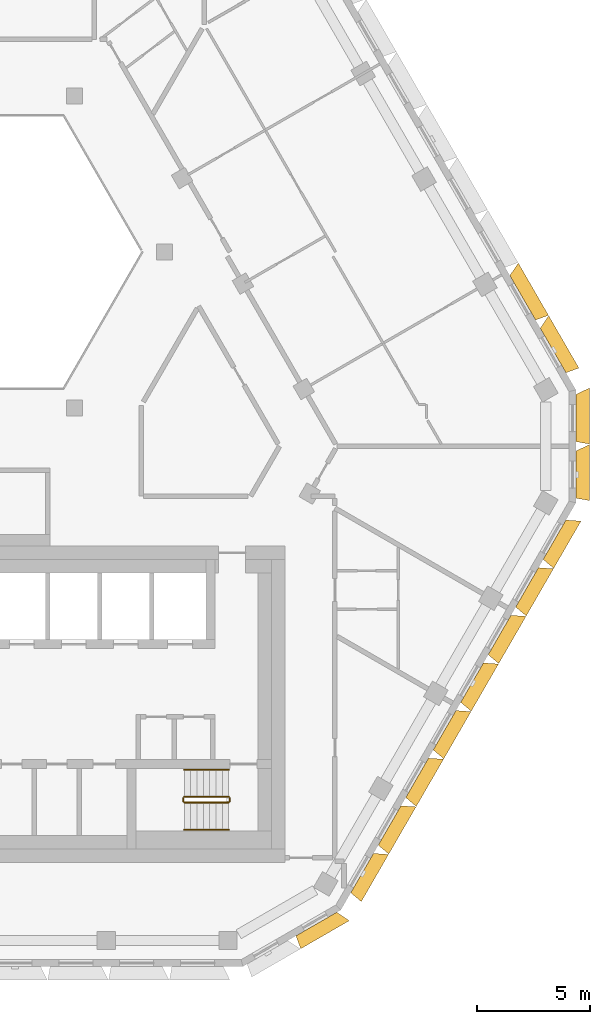
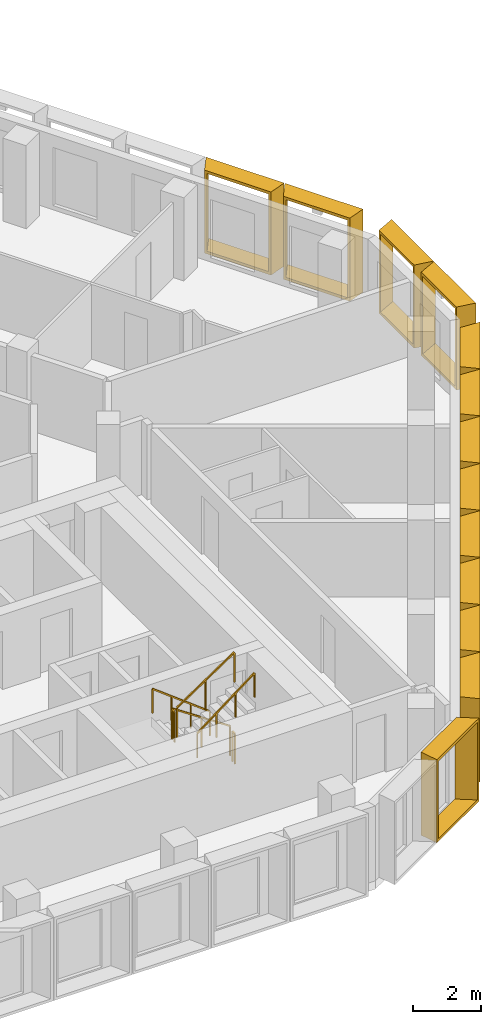
# One storey, part 16 of 17: 13 shading devices, 6 railings.
"""IFC4 building model written with IfcOpenShell, lengths in metres."""

from ifc_helpers import new_model, entity, si_unit, direction, frame, origin, origin_2d, place, context, subcontext, project, spatial, rectangle, extrude, source, transform, mapped, material, type_object, type_shapes, element, save


model = new_model("IFC4")

# Units and contexts
model_context = context("Model", 3, precision=1e-05, world=origin(), true_north=direction((0.0, 1.0)))
body_context = subcontext(model_context, "Body", "Model", "MODEL_VIEW")
ifc_project = project(units=[si_unit("LENGTHUNIT", "METRE"), si_unit("AREAUNIT", "SQUARE_METRE"), si_unit("VOLUMEUNIT", "CUBIC_METRE"), si_unit("PLANEANGLEUNIT", "RADIAN"), si_unit("MASSUNIT", "GRAM", prefix="KILO")], contexts=[model_context])

# Site, building, storey
site_placement = place(None, origin())
site = spatial("IfcSite", under=ifc_project, at=site_placement, CompositionType="ELEMENT")
building_placement = place(site_placement, origin())
building = spatial("IfcBuilding", under=site, at=building_placement, Name="Beryl Residences", CompositionType="ELEMENT")
storey_placement = place(building_placement, frame((0.0, 0.0, 172.199951171875)))
storey = spatial("IfcBuildingStorey", under=building, at=storey_placement, Name="L52", CompositionType="ELEMENT", Elevation=172.199951171875)

# Shading devices
ifc_material_1 = material(Name="Aluminium pale anodised", Category="aluminium")
shading_device_type_1 = type_object("IfcShadingDeviceType", Name="FR243-60C OUTER SKIN frame 600 mm deep, splay 10/26 deg, 2430 x 3000 mm cell", PredefinedType="USERDEFINED", material=ifc_material_1)
cartesian_point_1 = entity("IfcCartesianPoint", [-1.005615234375, 0.0])
cartesian_point_2 = entity("IfcCartesianPoint", [-0.92431640625, 0.10009765625])
cartesian_point_3 = entity("IfcCartesianPoint", [-1.111328125, 0.0])
cartesian_point_4 = entity("IfcCartesianPoint", [-1.030029296875, 0.10009765625])
shared_shape_1 = source(origin(), body_context, "Body", "SweptSolid", [
    entity("IfcExtrudedAreaSolidTapered", entity("IfcArbitraryProfileDefWithVoids", "AREA", None, entity("IfcPolyline", [cartesian_point_1, entity("IfcCartesianPoint", [1.005615234375, 0.0]), entity("IfcCartesianPoint", [1.005615234375, 3.0]), entity("IfcCartesianPoint", [-1.005615234375, 3.0]), cartesian_point_1]), [entity("IfcPolyline", [cartesian_point_2, entity("IfcCartesianPoint", [0.91650390625, 0.10009765625]), entity("IfcCartesianPoint", [0.91650390625, 2.89990234375]), entity("IfcCartesianPoint", [-0.92431640625, 2.89990234375]), cartesian_point_2])]), entity("IfcAxis2Placement3D", entity("IfcCartesianPoint", [0.0, 0.0, 0.0]), entity("IfcDirection", [0.0, 1.0, 0.0]), entity("IfcDirection", [-1.0, 0.0, 0.0])), entity("IfcDirection", [0.0, 0.0, 1.0]), 0.60009765625, entity("IfcArbitraryProfileDefWithVoids", "AREA", None, entity("IfcPolyline", [cartesian_point_3, entity("IfcCartesianPoint", [1.298095703125, 0.0]), entity("IfcCartesianPoint", [1.298095703125, 3.0]), entity("IfcCartesianPoint", [-1.111328125, 3.0]), cartesian_point_3]), [entity("IfcPolyline", [cartesian_point_4, entity("IfcCartesianPoint", [1.209228515625, 0.10009765625]), entity("IfcCartesianPoint", [1.209228515625, 2.89990234375]), entity("IfcCartesianPoint", [-1.030029296875, 2.89990234375]), cartesian_point_4])])),
])
type_shapes(shading_device_type_1, [shared_shape_1])
for number, where, z_axis, x_axis, name in (
    (1, (16.700927734375, -19.471923828125, 0.0), (0.0, 0.0, 1.0), (-0.5, -0.866025403784, 0.0), "FR243-60C frame L52 SE 1"),
    (2, (17.9169921875, -17.365966796875, 0.0), (0.0, 0.0, 1.0), (-0.5, -0.866025403784, 0.0), "FR243-60C frame L52 SE 2"),
    (3, (19.133056640625, -15.260009765625, 0.0), (0.0, 0.0, 1.0), (-0.5, -0.866025403784, 0.0), "FR243-60C frame L52 SE 3"),
    (4, (20.34912109375, -13.154052734375, 0.0), (0.0, 0.0, 1.0), (-0.5, -0.866025403784, 0.0), "FR243-60C frame L52 SE 4"),
    (5, (21.56396484375, -11.048095703125, 0.0), (0.0, 0.0, 1.0), (-0.5, -0.866025403784, 0.0), "FR243-60C frame L52 SE 5"),
    (6, (22.780029296875, -8.94189453125, 0.0), (0.0, 0.0, 1.0), (-0.5, -0.866025403784, 0.0), "FR243-60C frame L52 SE 6"),
    (7, (23.99609375, -6.8349609375, 0.0), (0.0, 0.0, 1.0), (-0.5, -0.866025403784, 0.0), "FR243-60C frame L52 SE 7"),
    (8, (25.2119140625, -4.72900390625, 0.0), (0.0, 0.0, 1.0), (-0.5, -0.866025403784, 0.0), "FR243-60C frame L52 SE 8"),
):
    element("IfcShadingDevice", number, at=place(storey_placement, frame(where, z_axis=z_axis, x_axis=x_axis)), inside=storey, type_object=shading_device_type_1, Name=name, ObjectType="OUTER SKIN", PredefinedType="USERDEFINED", context=body_context, shape_type="MappedRepresentation", body=[
        mapped(shared_shape_1, transform((0.0, 0.0, 0.0))),
    ])
ifc_material_2 = material(Name="Aluminium pale anodised", Category="aluminium")
shading_device_type_2 = type_object("IfcShadingDeviceType", Name="FR250-60C OUTER SKIN frame 600 mm deep, splay 10/26 deg, 2500 x 3000 mm cell", PredefinedType="USERDEFINED", material=ifc_material_2)
cartesian_point_5 = entity("IfcCartesianPoint", [-1.04052734375, 0.0])
cartesian_point_6 = entity("IfcCartesianPoint", [-0.959228515625, 0.10009765625])
cartesian_point_7 = entity("IfcCartesianPoint", [-1.146240234375, 0.0])
cartesian_point_8 = entity("IfcCartesianPoint", [-1.06494140625, 0.10009765625])
shared_shape_2 = source(origin(), body_context, "Body", "SweptSolid", [
    entity("IfcExtrudedAreaSolidTapered", entity("IfcArbitraryProfileDefWithVoids", "AREA", None, entity("IfcPolyline", [cartesian_point_5, entity("IfcCartesianPoint", [1.04052734375, 0.0]), entity("IfcCartesianPoint", [1.04052734375, 3.0]), entity("IfcCartesianPoint", [-1.04052734375, 3.0]), cartesian_point_5]), [entity("IfcPolyline", [cartesian_point_6, entity("IfcCartesianPoint", [0.951416015625, 0.10009765625]), entity("IfcCartesianPoint", [0.951416015625, 2.89990234375]), entity("IfcCartesianPoint", [-0.959228515625, 2.89990234375]), cartesian_point_6])]), entity("IfcAxis2Placement3D", entity("IfcCartesianPoint", [0.0, 0.0, 0.0]), entity("IfcDirection", [0.0, 1.0, 0.0]), entity("IfcDirection", [-1.0, 0.0, 0.0])), entity("IfcDirection", [0.0, 0.0, 1.0]), 0.60009765625, entity("IfcArbitraryProfileDefWithVoids", "AREA", None, entity("IfcPolyline", [cartesian_point_7, entity("IfcCartesianPoint", [1.333251953125, 0.0]), entity("IfcCartesianPoint", [1.333251953125, 3.0]), entity("IfcCartesianPoint", [-1.146240234375, 3.0]), cartesian_point_7]), [entity("IfcPolyline", [cartesian_point_8, entity("IfcCartesianPoint", [1.244140625, 0.10009765625]), entity("IfcCartesianPoint", [1.244140625, 2.89990234375]), entity("IfcCartesianPoint", [-1.06494140625, 2.89990234375]), cartesian_point_8])])),
])
type_shapes(shading_device_type_2, [shared_shape_2])
for number, where, z_axis, x_axis, name in (
    (9, (14.677978515625, -21.72509765625, 0.0), (0.0, 0.0, 1.0), (-0.866025403784, -0.5, 0.0), "FR250-60C frame L52 S-SE 2"),
    (10, (26.154052734375, -1.85009765625, 0.0), (0.0, 0.0, 1.0), (0.0, -1.0, 0.0), "FR250-60C frame L52 SE-NE 1"),
    (11, (26.154052734375, 0.64990234375, 0.0), (0.0, 0.0, 1.0), (0.0, -1.0, 0.0), "FR250-60C frame L52 SE-NE 2"),
):
    element("IfcShadingDevice", number, at=place(storey_placement, frame(where, z_axis=z_axis, x_axis=x_axis)), inside=storey, type_object=shading_device_type_2, Name=name, ObjectType="OUTER SKIN", PredefinedType="USERDEFINED", context=body_context, shape_type="MappedRepresentation", body=[
        mapped(shared_shape_2, transform((0.0, 0.0, 0.0))),
    ])
ifc_material_3 = material(Name="Aluminium pale anodised", Category="aluminium")
shading_device_type_3 = type_object("IfcShadingDeviceType", Name="FR269-60C OUTER SKIN frame 600 mm deep, splay 10/26 deg, 2690 x 3000 mm cell", PredefinedType="USERDEFINED", material=ifc_material_3)
cartesian_point_9 = entity("IfcCartesianPoint", [-1.135498046875, 0.0])
cartesian_point_10 = entity("IfcCartesianPoint", [-1.05419921875, 0.10009765625])
cartesian_point_11 = entity("IfcCartesianPoint", [-1.2412109375, 0.0])
cartesian_point_12 = entity("IfcCartesianPoint", [-1.16015625, 0.10009765625])
shared_shape_3 = source(origin(), body_context, "Body", "SweptSolid", [
    entity("IfcExtrudedAreaSolidTapered", entity("IfcArbitraryProfileDefWithVoids", "AREA", None, entity("IfcPolyline", [cartesian_point_9, entity("IfcCartesianPoint", [1.135498046875, 0.0]), entity("IfcCartesianPoint", [1.135498046875, 3.0]), entity("IfcCartesianPoint", [-1.135498046875, 3.0]), cartesian_point_9]), [entity("IfcPolyline", [cartesian_point_10, entity("IfcCartesianPoint", [1.04638671875, 0.10009765625]), entity("IfcCartesianPoint", [1.04638671875, 2.89990234375]), entity("IfcCartesianPoint", [-1.05419921875, 2.89990234375]), cartesian_point_10])]), entity("IfcAxis2Placement3D", entity("IfcCartesianPoint", [0.0, 0.0, 0.0]), entity("IfcDirection", [0.0, 1.0, 0.0]), entity("IfcDirection", [-1.0, 0.0, 0.0])), entity("IfcDirection", [0.0, 0.0, 1.0]), 0.60009765625, entity("IfcArbitraryProfileDefWithVoids", "AREA", None, entity("IfcPolyline", [cartesian_point_11, entity("IfcCartesianPoint", [1.42822265625, 0.0]), entity("IfcCartesianPoint", [1.42822265625, 3.0]), entity("IfcCartesianPoint", [-1.2412109375, 3.0]), cartesian_point_11]), [entity("IfcPolyline", [cartesian_point_12, entity("IfcCartesianPoint", [1.339111328125, 0.10009765625]), entity("IfcCartesianPoint", [1.339111328125, 2.89990234375]), entity("IfcCartesianPoint", [-1.16015625, 2.89990234375]), cartesian_point_12])])),
])
type_shapes(shading_device_type_3, [shared_shape_3])
for number, where, z_axis, x_axis, name in (
    (12, (25.14892578125, 3.639892578125, 0.0), (0.0, 0.0, 1.0), (0.5, -0.866025403784, 0.0), "FR269-60C frame L52 NE 1"),
    (13, (23.802978515625, 5.971923828125, 0.0), (0.0, 0.0, 1.0), (0.5, -0.866025403784, 0.0), "FR269-60C frame L52 NE 2"),
):
    element("IfcShadingDevice", number, at=place(storey_placement, frame(where, z_axis=z_axis, x_axis=x_axis)), inside=storey, type_object=shading_device_type_3, Name=name, ObjectType="OUTER SKIN", PredefinedType="USERDEFINED", context=body_context, shape_type="MappedRepresentation", body=[
        mapped(shared_shape_3, transform((0.0, 0.0, 0.0))),
    ])

# Railings
ifc_material_4 = material(Name="Stainless steel balustrade with glass infill", Category="steel")
railing_type_1 = type_object("IfcRailingType", Name="SG1 stair guard 1100 mm", PredefinedType="GUARDRAIL", material=ifc_material_4)
railing_1_placement = place(storey_placement, frame((10.800048828125, -16.10009765625, 0.1875)))
element("IfcRailing", 14, at=railing_1_placement, inside=storey, type_object=railing_type_1, Name="L52 ST-3 stair guard 1", PredefinedType="GUARDRAIL", context=body_context, shape_type="SweptSolid", body=[
    extrude(rectangle(XDim=0.048095703125, YDim=0.048095703125, at=origin_2d()), frame((0.0, 0.0, 1.076171875), z_axis=(-0.830902050051, 0.0, 0.556418712142), x_axis=(0.0, -1.0, 0.0)), (0.0, 0.0, 1.0), 2.35888671875),
    extrude(rectangle(XDim=0.0419921875, YDim=0.0419921875, at=origin_2d()), origin(), (0.0, 0.0, 1.0), 1.052001953125),
    extrude(rectangle(XDim=0.0419921875, YDim=0.0419921875, at=origin_2d()), frame((-0.97998046875, 0.0, 0.65625)), (0.0, 0.0, 1.0), 1.052001953125),
    extrude(rectangle(XDim=0.0419921875, YDim=0.0419921875, at=origin_2d()), frame((-1.9599609375, 0.0, 1.3125)), (0.0, 0.0, 1.0), 1.052001953125),
])
railing_2_placement = place(storey_placement, frame((8.7900390625, -16.14990234375, 1.5)))
element("IfcRailing", 15, at=railing_2_placement, inside=storey, type_object=railing_type_1, Name="L52 ST-3 stair guard 2", PredefinedType="GUARDRAIL", context=body_context, shape_type="SweptSolid", body=[
    extrude(rectangle(XDim=0.048095703125, YDim=0.048095703125, at=origin_2d()), frame((0.0, 0.0, 1.076171875), z_axis=(0.0, -1.0, 0.0), x_axis=(1.0, 0.0, 0.0)), (0.0, 0.0, 1.0), 0.150146484375),
    extrude(rectangle(XDim=0.0419921875, YDim=0.0419921875, at=origin_2d()), origin(), (0.0, 0.0, 1.0), 1.052001953125),
    extrude(rectangle(XDim=0.0419921875, YDim=0.0419921875, at=origin_2d()), frame((0.0, -0.150146484375, 0.0)), (0.0, 0.0, 1.0), 1.052001953125),
])
railing_3_placement = place(storey_placement, frame((8.840087890625, -16.35009765625, 1.6875)))
element("IfcRailing", 16, at=railing_3_placement, inside=storey, type_object=railing_type_1, Name="L52 ST-3 stair guard 3", PredefinedType="GUARDRAIL", context=body_context, shape_type="SweptSolid", body=[
    extrude(rectangle(XDim=0.048095703125, YDim=0.048095703125, at=origin_2d()), frame((0.0, 0.0, 1.076171875), z_axis=(0.830902050051, 0.0, 0.556418712142), x_axis=(0.0, 1.0, 0.0)), (0.0, 0.0, 1.0), 2.35888671875),
    extrude(rectangle(XDim=0.0419921875, YDim=0.0419921875, at=origin_2d()), origin(), (0.0, 0.0, 1.0), 1.052001953125),
    extrude(rectangle(XDim=0.0419921875, YDim=0.0419921875, at=origin_2d()), frame((0.97998046875, 0.0, 0.65625)), (0.0, 0.0, 1.0), 1.052001953125),
    extrude(rectangle(XDim=0.0419921875, YDim=0.0419921875, at=origin_2d()), frame((1.9599609375, 0.0, 1.3125)), (0.0, 0.0, 1.0), 1.052001953125),
])
railing_4_placement = place(storey_placement, frame((10.85009765625, -16.14990234375, 0.0)))
element("IfcRailing", 17, at=railing_4_placement, inside=storey, type_object=railing_type_1, Name="L52 ST-3 stair guard 4", PredefinedType="GUARDRAIL", context=body_context, shape_type="SweptSolid", body=[
    extrude(rectangle(XDim=0.048095703125, YDim=0.048095703125, at=origin_2d()), frame((0.0, 0.0, 1.076171875), z_axis=(0.0, -1.0, 0.0), x_axis=(1.0, 0.0, 0.0)), (0.0, 0.0, 1.0), 0.150146484375),
    extrude(rectangle(XDim=0.0419921875, YDim=0.0419921875, at=origin_2d()), origin(), (0.0, 0.0, 1.0), 1.052001953125),
    extrude(rectangle(XDim=0.0419921875, YDim=0.0419921875, at=origin_2d()), frame((0.0, -0.150146484375, 0.0)), (0.0, 0.0, 1.0), 1.052001953125),
])
ifc_material_5 = material(Name="Stainless steel handrail", Category="steel")
railing_type_2 = type_object("IfcRailingType", Name="SRL1 stair handrail 900 mm", PredefinedType="HANDRAIL", material=ifc_material_5)
railing_5_placement = place(storey_placement, frame((10.800048828125, -14.89990234375, 0.1875)))
element("IfcRailing", 18, at=railing_5_placement, inside=storey, type_object=railing_type_2, Name="L52 ST-3 stair handrail 1", PredefinedType="HANDRAIL", context=body_context, shape_type="SweptSolid", body=[
    extrude(rectangle(XDim=0.048095703125, YDim=0.048095703125, at=origin_2d()), frame((0.0, 0.0, 0.8759765625), z_axis=(-0.794121922505, 0.0, 0.607758481798), x_axis=(0.0, -1.0, 0.0)), (0.0, 0.0, 1.0), 2.468017578125),
    extrude(rectangle(XDim=0.0419921875, YDim=0.0419921875, at=origin_2d()), origin(), (0.0, 0.0, 1.0), 0.851806640625),
    extrude(rectangle(XDim=0.0419921875, YDim=0.0419921875, at=origin_2d()), frame((-0.6533203125, 0.0, 0.5)), (0.0, 0.0, 1.0), 0.851806640625),
    extrude(rectangle(XDim=0.0419921875, YDim=0.0419921875, at=origin_2d()), frame((-1.306640625, 0.0, 1.0)), (0.0, 0.0, 1.0), 0.851806640625),
    extrude(rectangle(XDim=0.0419921875, YDim=0.0419921875, at=origin_2d()), frame((-1.9599609375, 0.0, 1.5)), (0.0, 0.0, 1.0), 0.851806640625),
])
railing_6_placement = place(storey_placement, frame((8.840087890625, -17.550048828125, 1.6875)))
element("IfcRailing", 19, at=railing_6_placement, inside=storey, type_object=railing_type_2, Name="L52 ST-3 stair handrail 2", PredefinedType="HANDRAIL", context=body_context, shape_type="SweptSolid", body=[
    extrude(rectangle(XDim=0.048095703125, YDim=0.048095703125, at=origin_2d()), frame((0.0, 0.0, 0.8759765625), z_axis=(0.794121922505, 0.0, 0.607758481798), x_axis=(0.0, 1.0, 0.0)), (0.0, 0.0, 1.0), 2.468017578125),
    extrude(rectangle(XDim=0.0419921875, YDim=0.0419921875, at=origin_2d()), origin(), (0.0, 0.0, 1.0), 0.851806640625),
    extrude(rectangle(XDim=0.0419921875, YDim=0.0419921875, at=origin_2d()), frame((0.6533203125, 0.0, 0.5)), (0.0, 0.0, 1.0), 0.851806640625),
    extrude(rectangle(XDim=0.0419921875, YDim=0.0419921875, at=origin_2d()), frame((1.306640625, 0.0, 1.0)), (0.0, 0.0, 1.0), 0.851806640625),
    extrude(rectangle(XDim=0.0419921875, YDim=0.0419921875, at=origin_2d()), frame((1.9599609375, 0.0, 1.5)), (0.0, 0.0, 1.0), 0.851806640625),
])

save(model, "model.ifc")
